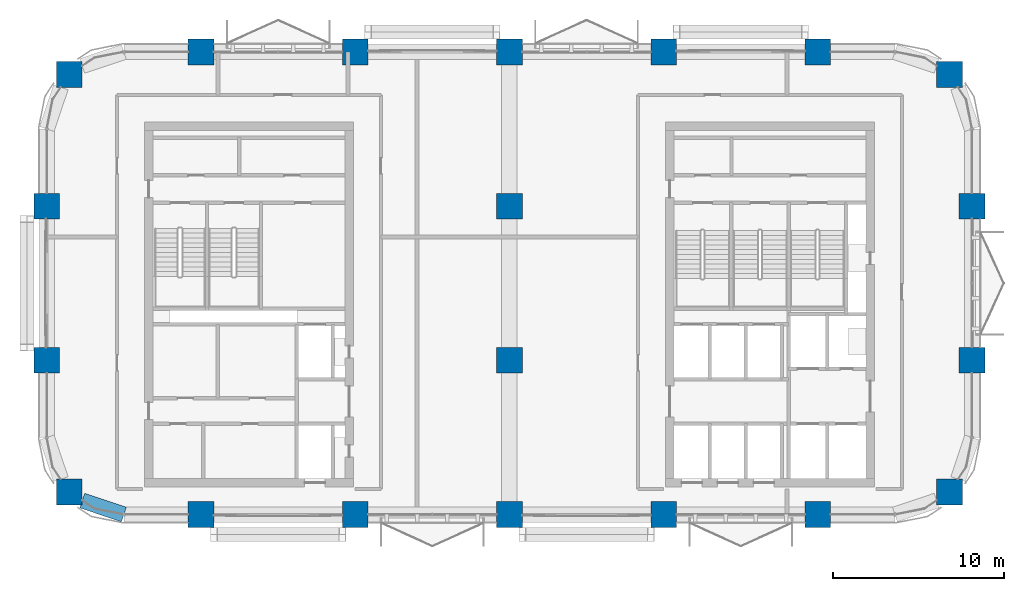
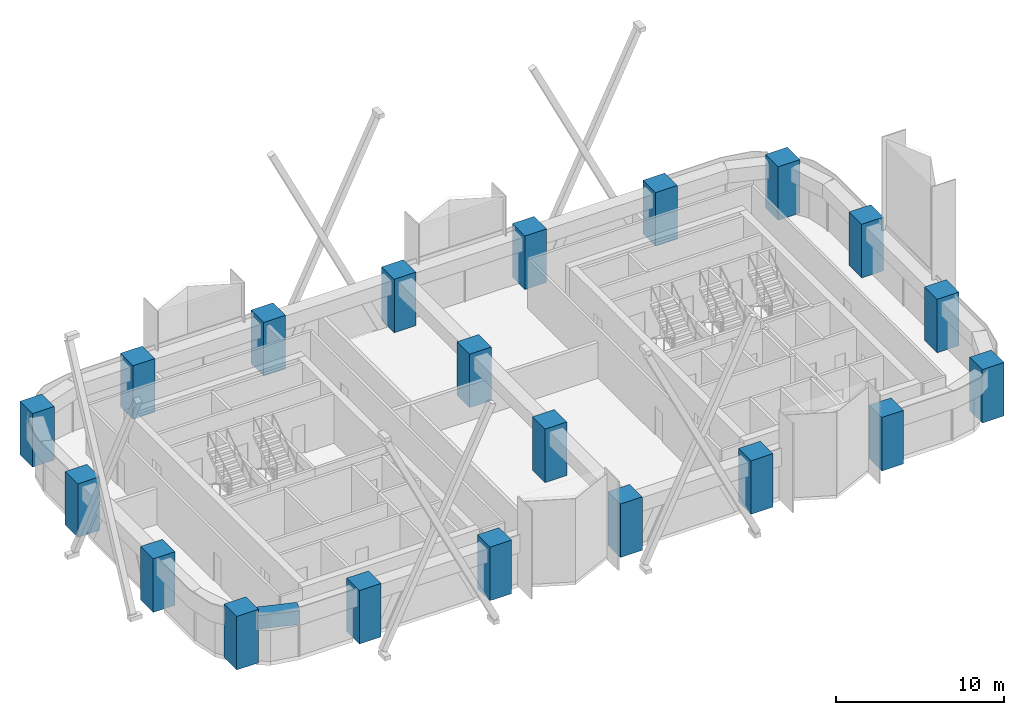
# One storey, part 1 of 14: 20 columns, 1 beam.
"""IFC4 building model written with IfcOpenShell, lengths in metres."""

from ifc_helpers import new_model, si_unit, direction, frame, origin, origin_2d, place, context, subcontext, project, spatial, rectangle, extrude, material, material_profile, profile_set, type_object, element, save


model = new_model("IFC4")

# Units and contexts
model_context = context("Model", 3, precision=1e-05, world=origin(), true_north=direction((0.0, 1.0)))
body_context = subcontext(model_context, "Body", "Model", "MODEL_VIEW")
ifc_project = project(units=[si_unit("LENGTHUNIT", "METRE"), si_unit("AREAUNIT", "SQUARE_METRE"), si_unit("VOLUMEUNIT", "CUBIC_METRE"), si_unit("PLANEANGLEUNIT", "RADIAN"), si_unit("MASSUNIT", "GRAM", prefix="KILO")], contexts=[model_context])

# Site, building, storey
site_placement = place(None, origin())
site = spatial("IfcSite", under=ifc_project, at=site_placement, CompositionType="ELEMENT")
building_placement = place(site_placement, origin())
building = spatial("IfcBuilding", under=site, at=building_placement, Name="Tessera Arch", CompositionType="ELEMENT")
storey_placement = place(building_placement, frame((0.0, 0.0, 181.699951171875)))
storey = spatial("IfcBuildingStorey", under=building, at=storey_placement, Name="L43", CompositionType="ELEMENT", Elevation=181.699951171875)

# Columns
ifc_material_1 = material(Name="Concrete C70/85", Category="concrete")
ifc_material_profile_1 = material_profile(ifc_material_1, rectangle(XDim=1.5, YDim=1.5, at=origin_2d()), Name="RC column 1500 x 1500 Concrete C70/85")
ifc_profile_set_1 = profile_set([ifc_material_profile_1], Name="Concrete C70/85")
column_type = type_object("IfcColumnType", Name="RC column 1500 x 1500 Concrete C70/85", PredefinedType="COLUMN", material=ifc_profile_set_1)
for number, where, z_axis, x_axis, name in (
    (1, (1.318115234375, 28.318115234375, 0.0), (0.0, 0.0, 1.0), (1.0, 0.0, 0.0), "Column C1D L43"),
    (2, (0.0, 36.0, 0.0), (0.0, 0.0, 1.0), (1.0, 0.0, 0.0), "Column C1E L43"),
    (3, (0.0, 45.0, 0.0), (0.0, 0.0, 1.0), (1.0, 0.0, 0.0), "Column C1F L43"),
    (4, (1.318115234375, 52.681884765625, 0.0), (0.0, 0.0, 1.0), (1.0, 0.0, 0.0), "Column C1G L43"),
    (5, (9.0, 27.0, 0.0), (0.0, 0.0, 1.0), (1.0, 0.0, 0.0), "Column C2D L43"),
    (6, (9.0, 54.0, 0.0), (0.0, 0.0, 1.0), (1.0, 0.0, 0.0), "Column C2G L43"),
    (7, (18.0, 27.0, 0.0), (0.0, 0.0, 1.0), (1.0, 0.0, 0.0), "Column C3D L43"),
    (8, (18.0, 54.0, 0.0), (0.0, 0.0, 1.0), (1.0, 0.0, 0.0), "Column C3G L43"),
    (9, (27.0, 27.0, 0.0), (0.0, 0.0, 1.0), (1.0, 0.0, 0.0), "Column C4D L43"),
    (10, (27.0, 36.0, 0.0), (0.0, 0.0, 1.0), (1.0, 0.0, 0.0), "Column C4E L43"),
    (11, (27.0, 45.0, 0.0), (0.0, 0.0, 1.0), (1.0, 0.0, 0.0), "Column C4F L43"),
    (12, (27.0, 54.0, 0.0), (0.0, 0.0, 1.0), (1.0, 0.0, 0.0), "Column C4G L43"),
    (13, (36.0, 27.0, 0.0), (0.0, 0.0, 1.0), (1.0, 0.0, 0.0), "Column C5D L43"),
    (14, (36.0, 54.0, 0.0), (0.0, 0.0, 1.0), (1.0, 0.0, 0.0), "Column C5G L43"),
    (15, (45.0, 27.0, 0.0), (0.0, 0.0, 1.0), (1.0, 0.0, 0.0), "Column C6D L43"),
    (16, (45.0, 54.0, 0.0), (0.0, 0.0, 1.0), (1.0, 0.0, 0.0), "Column C6G L43"),
    (17, (52.681884765625, 28.318115234375, 0.0), (0.0, 0.0, 1.0), (1.0, 0.0, 0.0), "Column C7D L43"),
    (18, (54.0, 36.0, 0.0), (0.0, 0.0, 1.0), (1.0, 0.0, 0.0), "Column C7E L43"),
    (19, (54.0, 45.0, 0.0), (0.0, 0.0, 1.0), (1.0, 0.0, 0.0), "Column C7F L43"),
    (20, (52.681884765625, 52.681884765625, 0.0), (0.0, 0.0, 1.0), (1.0, 0.0, 0.0), "Column C7G L43"),
):
    element("IfcColumn", number, at=place(storey_placement, frame(where, z_axis=z_axis, x_axis=x_axis)), inside=storey, type_object=column_type, Name=name, PredefinedType="COLUMN", context=body_context, shape_type="SweptSolid", body=[
        extrude(rectangle(XDim=1.5, YDim=1.5, at=origin_2d()), origin(), (0.0, 0.0, 1.0), 3.900146484375),
    ])

# Beam
ifc_material_2 = material(Name="Concrete C70/85", Category="concrete")
ifc_material_profile_2 = material_profile(ifc_material_2, rectangle(XDim=0.89990234375, YDim=1.0, at=origin_2d()), Name="RC spandrel beam 900 x 1000 Concrete C70/85")
ifc_profile_set_2 = profile_set([ifc_material_profile_2], Name="Concrete C70/85")
beam_type = type_object("IfcBeamType", Name="RC spandrel beam 900 x 1000 Concrete C70/85", PredefinedType="BEAM", material=ifc_profile_set_2)
beam_placement = place(storey_placement, frame((2.068115234375, 27.81689453125, 3.10009765625), z_axis=(0.947947973234, -0.31842525032, 0.0), x_axis=(0.31842525032, 0.947947973234, 0.0)))
element("IfcBeam", 21, at=beam_placement, inside=storey, type_object=beam_type, Name="Spandrel beam L43 S27.0/0.1", PredefinedType="BEAM", context=body_context, shape_type="SweptSolid", body=[
    extrude(rectangle(XDim=0.89990234375, YDim=1.0, at=origin_2d()), origin(), (0.0, 0.0, 1.0), 2.5654296875),
])

save(model, "model.ifc")
